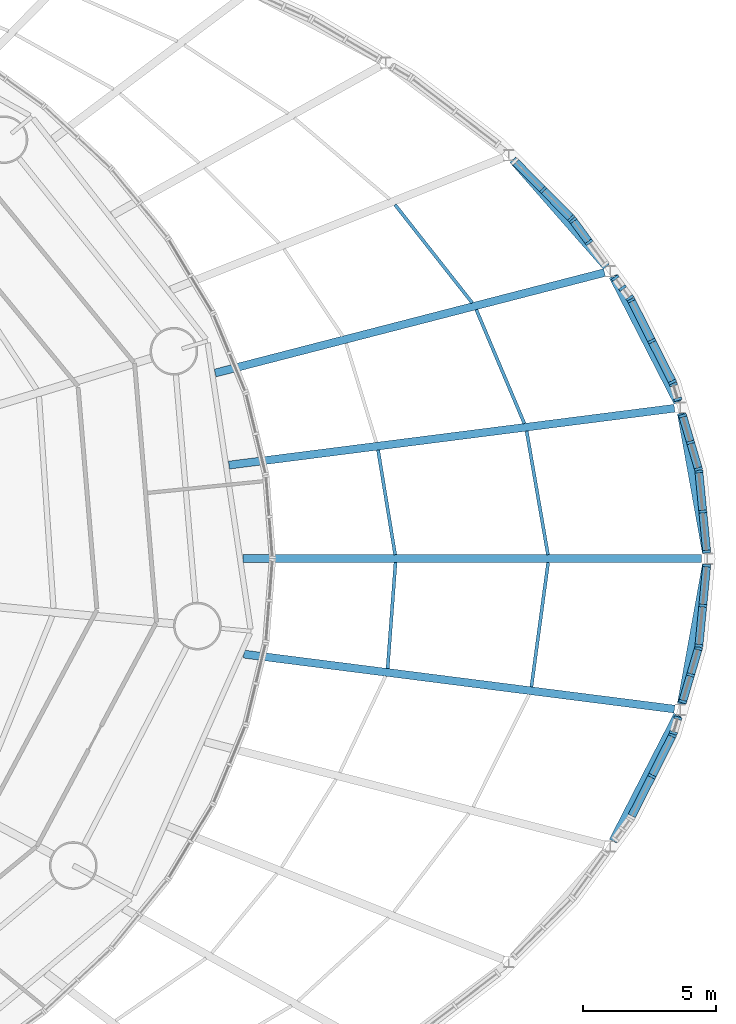
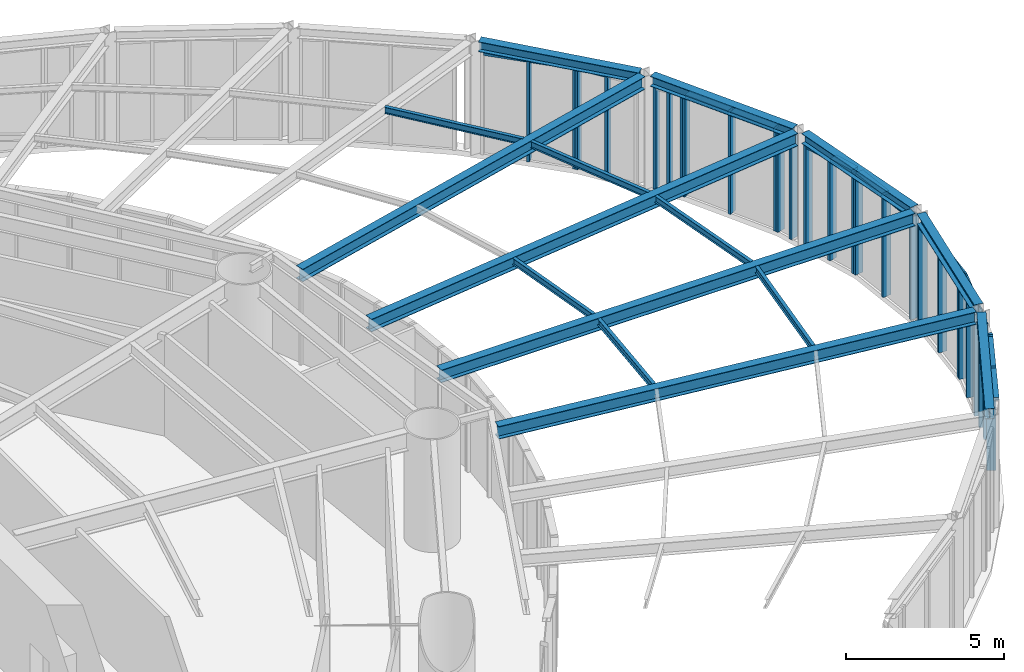
# One storey, part 11 of 23: 43 members, 15 beams, 11 elements without a shape of their own.
"""IFC4 building model written with IfcOpenShell, lengths in metres."""

from ifc_helpers import new_model, si_unit, direction, frame, origin, origin_2d, place, context, subcontext, project, spatial, rectangle, i_section, extrude, material, material_profile, profile_set, type_object, element, aggregate, save


model = new_model("IFC4")

# Units and contexts
model_context = context("Model", 3, precision=1e-05, world=origin(), true_north=direction((0.0, 1.0)))
body_context = subcontext(model_context, "Body", "Model", "MODEL_VIEW")
ifc_project = project(units=[si_unit("LENGTHUNIT", "METRE"), si_unit("AREAUNIT", "SQUARE_METRE"), si_unit("VOLUMEUNIT", "CUBIC_METRE"), si_unit("PLANEANGLEUNIT", "RADIAN"), si_unit("MASSUNIT", "GRAM", prefix="KILO")], contexts=[model_context])

# Site, building, storey
site_placement = place(None, origin())
site = spatial("IfcSite", under=ifc_project, at=site_placement, CompositionType="ELEMENT")
building_placement = place(site_placement, origin())
building = spatial("IfcBuilding", under=site, at=building_placement, Name="Vermilion Reach Broadcast Tower", CompositionType="ELEMENT")
storey_placement = place(building_placement, frame((0.0, 0.0, 31.5)))
storey = spatial("IfcBuildingStorey", under=building, at=storey_placement, Name="L04", CompositionType="ELEMENT", Elevation=31.5)

# Curtain wall, members
ifc_material_1 = material(Name="Low-e laminated clear glass in aluminium frame", Category="aluminium")
curtain_wall_type = type_object("IfcCurtainWallType", Name="Atrium outer wall curtain wall", PredefinedType="NOTDEFINED", material=ifc_material_1)
placement = place(storey_placement, origin())
curtain_wall_1 = element("IfcCurtainWall", 1, at=placement, inside=storey, type_object=curtain_wall_type, Name="Atrium wall L04 09", PredefinedType="NOTDEFINED")
ifc_material_2 = material(Name="Anodised aluminium", Category="aluminium")
ifc_material_profile_1 = material_profile(ifc_material_2, rectangle(XDim=0.300048828125, YDim=0.10009765625, at=origin_2d()), Name="Atrium outer wall mullion 100 x 300")
ifc_profile_set_1 = profile_set([ifc_material_profile_1], Name="Anodised aluminium")
member_type_1 = type_object("IfcMemberType", Name="Atrium outer wall mullion 100 x 300", PredefinedType="MULLION", material=ifc_profile_set_1)
member_1_placement = place(storey_placement, frame((37.6064453125, -8.20556640625, 0.0), z_axis=(0.0, 0.0, 1.0), x_axis=(-0.892992378986, 0.450071784356, 0.0)))
member_1 = element("IfcMember", 2, at=member_1_placement, type_object=member_type_1, Name="Atrium wall mullion L04 09.2", PredefinedType="MULLION", context=body_context, shape_type="SweptSolid", body=[
    extrude(rectangle(XDim=0.300048828125, YDim=0.10009765625, at=origin_2d()), origin(), (0.0, 0.0, 1.0), 3.9599609375),
])
member_2_placement = place(storey_placement, frame((38.384033203125, -6.6630859375, 0.0), z_axis=(0.0, 0.0, 1.0), x_axis=(-0.892992378986, 0.450071784356, 0.0)))
member_2 = element("IfcMember", 3, at=member_2_placement, type_object=member_type_1, Name="Atrium wall mullion L04 09.3", PredefinedType="MULLION", context=body_context, shape_type="SweptSolid", body=[
    extrude(rectangle(XDim=0.300048828125, YDim=0.10009765625, at=origin_2d()), origin(), (0.0, 0.0, 1.0), 3.9599609375),
])

curtain_wall_2 = element("IfcCurtainWall", 4, at=placement, inside=storey, type_object=curtain_wall_type, Name="Atrium wall L04 10-1", PredefinedType="NOTDEFINED")
member_3_placement = place(storey_placement, frame((38.420654296875, -6.570556640625, 0.0), z_axis=(0.0, 0.0, 1.0), x_axis=(-0.959047559317, 0.283245086397, 0.0)))
member_3 = element("IfcMember", 5, at=member_3_placement, type_object=member_type_1, Name="Atrium wall mullion L04 10-1.1", PredefinedType="MULLION", context=body_context, shape_type="SweptSolid", body=[
    extrude(rectangle(XDim=0.300048828125, YDim=0.10009765625, at=origin_2d()), origin(), (0.0, 0.0, 1.0), 3.9599609375),
])
member_4_placement = place(storey_placement, frame((38.58544921875, -6.01220703125, 0.0), z_axis=(0.0, 0.0, 1.0), x_axis=(-0.959047559317, 0.283245086397, 0.0)))
member_4 = element("IfcMember", 6, at=member_4_placement, type_object=member_type_1, Name="Atrium wall mullion L04 10-1.2", PredefinedType="MULLION", context=body_context, shape_type="SweptSolid", body=[
    extrude(rectangle(XDim=0.300048828125, YDim=0.10009765625, at=origin_2d()), origin(), (0.0, 0.0, 1.0), 3.9599609375),
])
aggregate(curtain_wall_2, [member_3, member_4])

curtain_wall_3 = element("IfcCurtainWall", 7, at=placement, inside=storey, type_object=curtain_wall_type, Name="Atrium wall L04 10-2", PredefinedType="NOTDEFINED")
member_5_placement = place(storey_placement, frame((38.76904296875, -5.390869140625, 0.0), z_axis=(0.0, 0.0, 1.0), x_axis=(-0.959047559317, 0.283245086397, 0.0)))
member_5 = element("IfcMember", 8, at=member_5_placement, type_object=member_type_1, Name="Atrium wall mullion L04 10-2.1", PredefinedType="MULLION", context=body_context, shape_type="SweptSolid", body=[
    extrude(rectangle(XDim=0.300048828125, YDim=0.10009765625, at=origin_2d()), origin(), (0.0, 0.0, 1.0), 3.9599609375),
])
member_6_placement = place(storey_placement, frame((39.0654296875, -4.387451171875, 0.0), z_axis=(0.0, 0.0, 1.0), x_axis=(-0.959047559317, 0.283245086397, 0.0)))
member_6 = element("IfcMember", 9, at=member_6_placement, type_object=member_type_1, Name="Atrium wall mullion L04 10-2.2", PredefinedType="MULLION", context=body_context, shape_type="SweptSolid", body=[
    extrude(rectangle(XDim=0.300048828125, YDim=0.10009765625, at=origin_2d()), origin(), (0.0, 0.0, 1.0), 3.9599609375),
])
member_7_placement = place(storey_placement, frame((39.361572265625, -3.384033203125, 0.0), z_axis=(0.0, 0.0, 1.0), x_axis=(-0.959047559317, 0.283245086397, 0.0)))
member_7 = element("IfcMember", 10, at=member_7_placement, type_object=member_type_1, Name="Atrium wall mullion L04 10-2.3", PredefinedType="MULLION", context=body_context, shape_type="SweptSolid", body=[
    extrude(rectangle(XDim=0.300048828125, YDim=0.10009765625, at=origin_2d()), origin(), (0.0, 0.0, 1.0), 3.9599609375),
])

curtain_wall_4 = element("IfcCurtainWall", 11, at=placement, inside=storey, type_object=curtain_wall_type, Name="Atrium wall L04 11", PredefinedType="NOTDEFINED")
member_8_placement = place(storey_placement, frame((39.380615234375, -3.286376953125, 0.0), z_axis=(0.0, 0.0, 1.0), x_axis=(-0.995297951094, 0.096860665643, 0.0)))
member_8 = element("IfcMember", 12, at=member_8_placement, type_object=member_type_1, Name="Atrium wall mullion L04 11.1", PredefinedType="MULLION", context=body_context, shape_type="SweptSolid", body=[
    extrude(rectangle(XDim=0.300048828125, YDim=0.10009765625, at=origin_2d()), origin(), (0.0, 0.0, 1.0), 3.9599609375),
])
member_9_placement = place(storey_placement, frame((39.52783203125, -1.774658203125, 0.0), z_axis=(0.0, 0.0, 1.0), x_axis=(-0.995297951094, 0.096860665643, 0.0)))
member_9 = element("IfcMember", 13, at=member_9_placement, type_object=member_type_1, Name="Atrium wall mullion L04 11.2", PredefinedType="MULLION", context=body_context, shape_type="SweptSolid", body=[
    extrude(rectangle(XDim=0.300048828125, YDim=0.10009765625, at=origin_2d()), origin(), (0.0, 0.0, 1.0), 3.9599609375),
])
member_10_placement = place(storey_placement, frame((39.6748046875, -0.2626953125, 0.0), z_axis=(0.0, 0.0, 1.0), x_axis=(-0.995297951094, 0.096860665643, 0.0)))
member_10 = element("IfcMember", 14, at=member_10_placement, type_object=member_type_1, Name="Atrium wall mullion L04 11.3", PredefinedType="MULLION", context=body_context, shape_type="SweptSolid", body=[
    extrude(rectangle(XDim=0.300048828125, YDim=0.10009765625, at=origin_2d()), origin(), (0.0, 0.0, 1.0), 3.9599609375),
])

curtain_wall_5 = element("IfcCurtainWall", 15, at=placement, inside=storey, type_object=curtain_wall_type, Name="Atrium wall L04 12", PredefinedType="NOTDEFINED")
member_11_placement = place(storey_placement, frame((39.6748046875, 0.2626953125, 0.0), z_axis=(0.0, 0.0, 1.0), x_axis=(-0.995297951094, -0.096860665643, 0.0)))
member_11 = element("IfcMember", 16, at=member_11_placement, type_object=member_type_1, Name="Atrium wall mullion L04 12.1", PredefinedType="MULLION", context=body_context, shape_type="SweptSolid", body=[
    extrude(rectangle(XDim=0.300048828125, YDim=0.10009765625, at=origin_2d()), origin(), (0.0, 0.0, 1.0), 3.9599609375),
])
member_12_placement = place(storey_placement, frame((39.52783203125, 1.774658203125, 0.0), z_axis=(0.0, 0.0, 1.0), x_axis=(-0.995297951094, -0.096860665643, 0.0)))
member_12 = element("IfcMember", 17, at=member_12_placement, type_object=member_type_1, Name="Atrium wall mullion L04 12.2", PredefinedType="MULLION", context=body_context, shape_type="SweptSolid", body=[
    extrude(rectangle(XDim=0.300048828125, YDim=0.10009765625, at=origin_2d()), origin(), (0.0, 0.0, 1.0), 3.9599609375),
])
member_13_placement = place(storey_placement, frame((39.380615234375, 3.286376953125, 0.0), z_axis=(0.0, 0.0, 1.0), x_axis=(-0.995297951094, -0.096860665643, 0.0)))
member_13 = element("IfcMember", 18, at=member_13_placement, type_object=member_type_1, Name="Atrium wall mullion L04 12.3", PredefinedType="MULLION", context=body_context, shape_type="SweptSolid", body=[
    extrude(rectangle(XDim=0.300048828125, YDim=0.10009765625, at=origin_2d()), origin(), (0.0, 0.0, 1.0), 3.9599609375),
])

curtain_wall_6 = element("IfcCurtainWall", 19, at=placement, inside=storey, type_object=curtain_wall_type, Name="Atrium wall L04 13-1", PredefinedType="NOTDEFINED")
member_14_placement = place(storey_placement, frame((39.361572265625, 3.384033203125, 0.0), z_axis=(0.0, 0.0, 1.0), x_axis=(-0.959047559317, -0.283245086397, 0.0)))
member_14 = element("IfcMember", 20, at=member_14_placement, type_object=member_type_1, Name="Atrium wall mullion L04 13-1.1", PredefinedType="MULLION", context=body_context, shape_type="SweptSolid", body=[
    extrude(rectangle(XDim=0.300048828125, YDim=0.10009765625, at=origin_2d()), origin(), (0.0, 0.0, 1.0), 3.9599609375),
])
member_15_placement = place(storey_placement, frame((39.0654296875, 4.387451171875, 0.0), z_axis=(0.0, 0.0, 1.0), x_axis=(-0.959047559317, -0.283245086397, 0.0)))
member_15 = element("IfcMember", 21, at=member_15_placement, type_object=member_type_1, Name="Atrium wall mullion L04 13-1.2", PredefinedType="MULLION", context=body_context, shape_type="SweptSolid", body=[
    extrude(rectangle(XDim=0.300048828125, YDim=0.10009765625, at=origin_2d()), origin(), (0.0, 0.0, 1.0), 3.9599609375),
])
member_16_placement = place(storey_placement, frame((38.76904296875, 5.390869140625, 0.0), z_axis=(0.0, 0.0, 1.0), x_axis=(-0.959047559317, -0.283245086397, 0.0)))
member_16 = element("IfcMember", 22, at=member_16_placement, type_object=member_type_1, Name="Atrium wall mullion L04 13-1.3", PredefinedType="MULLION", context=body_context, shape_type="SweptSolid", body=[
    extrude(rectangle(XDim=0.300048828125, YDim=0.10009765625, at=origin_2d()), origin(), (0.0, 0.0, 1.0), 3.9599609375),
])

curtain_wall_7 = element("IfcCurtainWall", 23, at=placement, inside=storey, type_object=curtain_wall_type, Name="Atrium wall L04 13-2", PredefinedType="NOTDEFINED")
member_17_placement = place(storey_placement, frame((38.58544921875, 6.01220703125, 0.0), z_axis=(0.0, 0.0, 1.0), x_axis=(-0.959047559317, -0.283245086397, 0.0)))
member_17 = element("IfcMember", 24, at=member_17_placement, type_object=member_type_1, Name="Atrium wall mullion L04 13-2.1", PredefinedType="MULLION", context=body_context, shape_type="SweptSolid", body=[
    extrude(rectangle(XDim=0.300048828125, YDim=0.10009765625, at=origin_2d()), origin(), (0.0, 0.0, 1.0), 3.9599609375),
])
member_18_placement = place(storey_placement, frame((38.420654296875, 6.570556640625, 0.0), z_axis=(0.0, 0.0, 1.0), x_axis=(-0.959047559317, -0.283245086397, 0.0)))
member_18 = element("IfcMember", 25, at=member_18_placement, type_object=member_type_1, Name="Atrium wall mullion L04 13-2.2", PredefinedType="MULLION", context=body_context, shape_type="SweptSolid", body=[
    extrude(rectangle(XDim=0.300048828125, YDim=0.10009765625, at=origin_2d()), origin(), (0.0, 0.0, 1.0), 3.9599609375),
])
aggregate(curtain_wall_7, [member_17, member_18])

curtain_wall_8 = element("IfcCurtainWall", 26, at=placement, inside=storey, type_object=curtain_wall_type, Name="Atrium wall L04 14", PredefinedType="NOTDEFINED")
member_19_placement = place(storey_placement, frame((38.384033203125, 6.6630859375, 0.0), z_axis=(0.0, 0.0, 1.0), x_axis=(-0.892992378986, -0.450071784356, 0.0)))
member_19 = element("IfcMember", 27, at=member_19_placement, type_object=member_type_1, Name="Atrium wall mullion L04 14.1", PredefinedType="MULLION", context=body_context, shape_type="SweptSolid", body=[
    extrude(rectangle(XDim=0.300048828125, YDim=0.10009765625, at=origin_2d()), origin(), (0.0, 0.0, 1.0), 3.9599609375),
])
member_20_placement = place(storey_placement, frame((37.6064453125, 8.20556640625, 0.0), z_axis=(0.0, 0.0, 1.0), x_axis=(-0.892992378986, -0.450071784356, 0.0)))
member_20 = element("IfcMember", 28, at=member_20_placement, type_object=member_type_1, Name="Atrium wall mullion L04 14.2", PredefinedType="MULLION", context=body_context, shape_type="SweptSolid", body=[
    extrude(rectangle(XDim=0.300048828125, YDim=0.10009765625, at=origin_2d()), origin(), (0.0, 0.0, 1.0), 3.9599609375),
])
member_21_placement = place(storey_placement, frame((36.8291015625, 9.748046875, 0.0), z_axis=(0.0, 0.0, 1.0), x_axis=(-0.892992378986, -0.450071784356, 0.0)))
member_21 = element("IfcMember", 29, at=member_21_placement, type_object=member_type_1, Name="Atrium wall mullion L04 14.3", PredefinedType="MULLION", context=body_context, shape_type="SweptSolid", body=[
    extrude(rectangle(XDim=0.300048828125, YDim=0.10009765625, at=origin_2d()), origin(), (0.0, 0.0, 1.0), 3.9599609375),
])

curtain_wall_9 = element("IfcCurtainWall", 30, at=placement, inside=storey, type_object=curtain_wall_type, Name="Atrium wall L04 15-1", PredefinedType="NOTDEFINED")
member_22_placement = place(storey_placement, frame((36.777099609375, 9.8330078125, 0.0), z_axis=(0.0, 0.0, 1.0), x_axis=(-0.806847463604, -0.590759824697, 0.0)))
member_22 = element("IfcMember", 31, at=member_22_placement, type_object=member_type_1, Name="Atrium wall mullion L04 15-1.1", PredefinedType="MULLION", context=body_context, shape_type="SweptSolid", body=[
    extrude(rectangle(XDim=0.300048828125, YDim=0.10009765625, at=origin_2d()), origin(), (0.0, 0.0, 1.0), 3.9599609375),
])
member_23_placement = place(storey_placement, frame((36.501220703125, 10.209716796875, 0.0), z_axis=(0.0, 0.0, 1.0), x_axis=(-0.806847463604, -0.590759824697, 0.0)))
member_23 = element("IfcMember", 32, at=member_23_placement, type_object=member_type_1, Name="Atrium wall mullion L04 15-1.2", PredefinedType="MULLION", context=body_context, shape_type="SweptSolid", body=[
    extrude(rectangle(XDim=0.300048828125, YDim=0.10009765625, at=origin_2d()), origin(), (0.0, 0.0, 1.0), 3.9599609375),
])
member_24_placement = place(storey_placement, frame((36.2255859375, 10.586181640625, 0.0), z_axis=(0.0, 0.0, 1.0), x_axis=(-0.806847463604, -0.590759824697, 0.0)))
member_24 = element("IfcMember", 33, at=member_24_placement, type_object=member_type_1, Name="Atrium wall mullion L04 15-1.3", PredefinedType="MULLION", context=body_context, shape_type="SweptSolid", body=[
    extrude(rectangle(XDim=0.300048828125, YDim=0.10009765625, at=origin_2d()), origin(), (0.0, 0.0, 1.0), 3.9599609375),
])
aggregate(curtain_wall_9, [member_22, member_23, member_24])

curtain_wall_10 = element("IfcCurtainWall", 34, at=placement, inside=storey, type_object=curtain_wall_type, Name="Atrium wall L04 15-2", PredefinedType="NOTDEFINED")
member_25_placement = place(storey_placement, frame((35.236572265625, 11.936767578125, 0.0), z_axis=(0.0, 0.0, 1.0), x_axis=(-0.806847463604, -0.590759824697, 0.0)))
member_25 = element("IfcMember", 35, at=member_25_placement, type_object=member_type_1, Name="Atrium wall mullion L04 15-2.2", PredefinedType="MULLION", context=body_context, shape_type="SweptSolid", body=[
    extrude(rectangle(XDim=0.300048828125, YDim=0.10009765625, at=origin_2d()), origin(), (0.0, 0.0, 1.0), 3.9599609375),
])
member_26_placement = place(storey_placement, frame((34.630615234375, 12.764404296875, 0.0), z_axis=(0.0, 0.0, 1.0), x_axis=(-0.806847463604, -0.590759824697, 0.0)))
member_26 = element("IfcMember", 36, at=member_26_placement, type_object=member_type_1, Name="Atrium wall mullion L04 15-2.3", PredefinedType="MULLION", context=body_context, shape_type="SweptSolid", body=[
    extrude(rectangle(XDim=0.300048828125, YDim=0.10009765625, at=origin_2d()), origin(), (0.0, 0.0, 1.0), 3.9599609375),
])

curtain_wall_11 = element("IfcCurtainWall", 37, at=placement, inside=storey, type_object=curtain_wall_type, Name="Atrium wall L04 16", PredefinedType="NOTDEFINED")
member_27_placement = place(storey_placement, frame((34.56591796875, 12.84033203125, 0.0), z_axis=(0.0, 0.0, 1.0), x_axis=(-0.709925939614, -0.704276337997, 0.0)))
member_27 = element("IfcMember", 38, at=member_27_placement, type_object=member_type_1, Name="Atrium wall mullion L04 16.1", PredefinedType="MULLION", context=body_context, shape_type="SweptSolid", body=[
    extrude(rectangle(XDim=0.300048828125, YDim=0.10009765625, at=origin_2d()), origin(), (0.0, 0.0, 1.0), 3.9599609375),
])
member_28_placement = place(storey_placement, frame((33.5029296875, 13.911865234375, 0.0), z_axis=(0.0, 0.0, 1.0), x_axis=(-0.709925939614, -0.704276337997, 0.0)))
member_28 = element("IfcMember", 39, at=member_28_placement, type_object=member_type_1, Name="Atrium wall mullion L04 16.2", PredefinedType="MULLION", context=body_context, shape_type="SweptSolid", body=[
    extrude(rectangle(XDim=0.300048828125, YDim=0.10009765625, at=origin_2d()), origin(), (0.0, 0.0, 1.0), 3.9599609375),
])

# Member
ifc_material_3 = material(Name="Anodised aluminium", Category="aluminium")
ifc_material_profile_2 = material_profile(ifc_material_3, rectangle(XDim=0.300048828125, YDim=0.1201171875, at=origin_2d()), Name="Atrium outer wall transom 300 x 120")
ifc_profile_set_2 = profile_set([ifc_material_profile_2], Name="Anodised aluminium")
member_type_2 = type_object("IfcMemberType", Name="Atrium outer wall transom 300 x 120", PredefinedType="USERDEFINED", material=ifc_profile_set_2)
member_29_placement = place(storey_placement, frame((36.8515625, -9.703369140625, 3.89990234375), z_axis=(0.450091864122, 0.892982258419, 0.0), x_axis=(-0.892982258419, 0.450091864122, 0.0)))
member_29 = element("IfcMember", 40, at=member_29_placement, type_object=member_type_2, Name="Atrium wall transom L04 09.1.2", ObjectType="TRANSOM", PredefinedType="USERDEFINED", context=body_context, shape_type="SweptSolid", body=[
    extrude(rectangle(XDim=0.300048828125, YDim=0.1201171875, at=origin_2d()), origin(), (0.0, 0.0, 1.0), 1.627197265625),
])

member_30_placement = place(storey_placement, frame((37.62890625, -8.160888671875, 3.89990234375), z_axis=(0.450091864122, 0.892982258419, 0.0), x_axis=(-0.892982258419, 0.450091864122, 0.0)))
member_30 = element("IfcMember", 41, at=member_30_placement, type_object=member_type_2, Name="Atrium wall transom L04 09.2.2", ObjectType="TRANSOM", PredefinedType="USERDEFINED", context=body_context, shape_type="SweptSolid", body=[
    extrude(rectangle(XDim=0.300048828125, YDim=0.1201171875, at=origin_2d()), origin(), (0.0, 0.0, 1.0), 1.627197265625),
])

aggregate(curtain_wall_1, [member_1, member_2, member_29, member_30])

member_31_placement = place(storey_placement, frame((38.783203125, -5.3427734375, 3.89990234375), z_axis=(0.283297602457, 0.959032047662, 0.0), x_axis=(-0.959032047662, 0.283297602457, 0.0)))
member_31 = element("IfcMember", 42, at=member_31_placement, type_object=member_type_2, Name="Atrium wall transom L04 10-2.1.2", ObjectType="TRANSOM", PredefinedType="USERDEFINED", context=body_context, shape_type="SweptSolid", body=[
    extrude(rectangle(XDim=0.300048828125, YDim=0.1201171875, at=origin_2d()), origin(), (0.0, 0.0, 1.0), 0.9462890625),
])

member_32_placement = place(storey_placement, frame((39.07958984375, -4.339599609375, 3.89990234375), z_axis=(0.283060271492, 0.959102123187, 0.0), x_axis=(-0.959102123187, 0.283060271492, 0.0)))
member_32 = element("IfcMember", 43, at=member_32_placement, type_object=member_type_2, Name="Atrium wall transom L04 10-2.2.2", ObjectType="TRANSOM", PredefinedType="USERDEFINED", context=body_context, shape_type="SweptSolid", body=[
    extrude(rectangle(XDim=0.300048828125, YDim=0.1201171875, at=origin_2d()), origin(), (0.0, 0.0, 1.0), 0.946044921875),
])

aggregate(curtain_wall_3, [member_5, member_6, member_7, member_31, member_32])

member_33_placement = place(storey_placement, frame((39.385498046875, -3.236572265625, 3.89990234375), z_axis=(0.096863028009, 0.995297721189, 0.0), x_axis=(-0.995297721189, 0.096863028009, 0.0)))
member_33 = element("IfcMember", 44, at=member_33_placement, type_object=member_type_2, Name="Atrium wall transom L04 11.1.2", ObjectType="TRANSOM", PredefinedType="USERDEFINED", context=body_context, shape_type="SweptSolid", body=[
    extrude(rectangle(XDim=0.300048828125, YDim=0.1201171875, at=origin_2d()), origin(), (0.0, 0.0, 1.0), 1.4189453125),
])

member_34_placement = place(storey_placement, frame((39.53271484375, -1.724853515625, 3.89990234375), z_axis=(0.096863028009, 0.995297721189, 0.0), x_axis=(-0.995297721189, 0.096863028009, 0.0)))
member_34 = element("IfcMember", 45, at=member_34_placement, type_object=member_type_2, Name="Atrium wall transom L04 11.2.2", ObjectType="TRANSOM", PredefinedType="USERDEFINED", context=body_context, shape_type="SweptSolid", body=[
    extrude(rectangle(XDim=0.300048828125, YDim=0.1201171875, at=origin_2d()), origin(), (0.0, 0.0, 1.0), 1.4189453125),
])

aggregate(curtain_wall_4, [member_8, member_9, member_10, member_33, member_34])

member_35_placement = place(storey_placement, frame((39.670166015625, 0.3125, 3.89990234375), z_axis=(-0.096863028009, 0.995297721189, 0.0), x_axis=(-0.995297721189, -0.096863028009, 0.0)))
member_35 = element("IfcMember", 46, at=member_35_placement, type_object=member_type_2, Name="Atrium wall transom L04 12.1.2", ObjectType="TRANSOM", PredefinedType="USERDEFINED", context=body_context, shape_type="SweptSolid", body=[
    extrude(rectangle(XDim=0.300048828125, YDim=0.1201171875, at=origin_2d()), origin(), (0.0, 0.0, 1.0), 1.4189453125),
])

member_36_placement = place(storey_placement, frame((39.52294921875, 1.82421875, 3.89990234375), z_axis=(-0.096863028009, 0.995297721189, 0.0), x_axis=(-0.995297721189, -0.096863028009, 0.0)))
member_36 = element("IfcMember", 47, at=member_36_placement, type_object=member_type_2, Name="Atrium wall transom L04 12.2.2", ObjectType="TRANSOM", PredefinedType="USERDEFINED", context=body_context, shape_type="SweptSolid", body=[
    extrude(rectangle(XDim=0.300048828125, YDim=0.1201171875, at=origin_2d()), origin(), (0.0, 0.0, 1.0), 1.4189453125),
])

aggregate(curtain_wall_5, [member_11, member_12, member_13, member_35, member_36])

member_37_placement = place(storey_placement, frame((39.347412109375, 3.43212890625, 3.89990234375), z_axis=(-0.283060271492, 0.959102123187, 0.0), x_axis=(-0.959102123187, -0.283060271492, 0.0)))
member_37 = element("IfcMember", 48, at=member_37_placement, type_object=member_type_2, Name="Atrium wall transom L04 13-1.1.2", ObjectType="TRANSOM", PredefinedType="USERDEFINED", context=body_context, shape_type="SweptSolid", body=[
    extrude(rectangle(XDim=0.300048828125, YDim=0.1201171875, at=origin_2d()), origin(), (0.0, 0.0, 1.0), 0.946044921875),
])

member_38_placement = place(storey_placement, frame((39.05126953125, 4.435302734375, 3.89990234375), z_axis=(-0.283297602457, 0.959032047662, 0.0), x_axis=(-0.959032047662, -0.283297602457, 0.0)))
member_38 = element("IfcMember", 49, at=member_38_placement, type_object=member_type_2, Name="Atrium wall transom L04 13-1.2.2", ObjectType="TRANSOM", PredefinedType="USERDEFINED", context=body_context, shape_type="SweptSolid", body=[
    extrude(rectangle(XDim=0.300048828125, YDim=0.1201171875, at=origin_2d()), origin(), (0.0, 0.0, 1.0), 0.9462890625),
])

aggregate(curtain_wall_6, [member_14, member_15, member_16, member_37, member_38])

member_39_placement = place(storey_placement, frame((38.361328125, 6.707763671875, 3.89990234375), z_axis=(-0.450091864122, 0.892982258419, 0.0), x_axis=(-0.892982258419, -0.450091864122, 0.0)))
member_39 = element("IfcMember", 50, at=member_39_placement, type_object=member_type_2, Name="Atrium wall transom L04 14.1.2", ObjectType="TRANSOM", PredefinedType="USERDEFINED", context=body_context, shape_type="SweptSolid", body=[
    extrude(rectangle(XDim=0.300048828125, YDim=0.1201171875, at=origin_2d()), origin(), (0.0, 0.0, 1.0), 1.627197265625),
])

member_40_placement = place(storey_placement, frame((37.583984375, 8.250244140625, 3.89990234375), z_axis=(-0.450091864122, 0.892982258419, 0.0), x_axis=(-0.892982258419, -0.450091864122, 0.0)))
member_40 = element("IfcMember", 51, at=member_40_placement, type_object=member_type_2, Name="Atrium wall transom L04 14.2.2", ObjectType="TRANSOM", PredefinedType="USERDEFINED", context=body_context, shape_type="SweptSolid", body=[
    extrude(rectangle(XDim=0.300048828125, YDim=0.1201171875, at=origin_2d()), origin(), (0.0, 0.0, 1.0), 1.627197265625),
])

aggregate(curtain_wall_8, [member_19, member_20, member_21, member_39, member_40])

member_41_placement = place(storey_placement, frame((35.20703125, 11.97705078125, 3.89990234375), z_axis=(-0.590677537, 0.806907706794, 0.0), x_axis=(-0.806907706794, -0.590677537, 0.0)))
member_41 = element("IfcMember", 52, at=member_41_placement, type_object=member_type_2, Name="Atrium wall transom L04 15-2.2.2", ObjectType="TRANSOM", PredefinedType="USERDEFINED", context=body_context, shape_type="SweptSolid", body=[
    extrude(rectangle(XDim=0.300048828125, YDim=0.1201171875, at=origin_2d()), origin(), (0.0, 0.0, 1.0), 0.92578125),
])

aggregate(curtain_wall_10, [member_25, member_26, member_41])

member_42_placement = place(storey_placement, frame((34.53076171875, 12.875732421875, 3.89990234375), z_axis=(-0.704329761537, 0.709872937231, 0.0), x_axis=(-0.709872937231, -0.704329761537, 0.0)))
member_42 = element("IfcMember", 53, at=member_42_placement, type_object=member_type_2, Name="Atrium wall transom L04 16.1.2", ObjectType="TRANSOM", PredefinedType="USERDEFINED", context=body_context, shape_type="SweptSolid", body=[
    extrude(rectangle(XDim=0.300048828125, YDim=0.1201171875, at=origin_2d()), origin(), (0.0, 0.0, 1.0), 1.409423828125),
])

member_43_placement = place(storey_placement, frame((33.4677734375, 13.947265625, 3.89990234375), z_axis=(-0.704242454473, 0.709959551889, 0.0), x_axis=(-0.709959551889, -0.704242454473, 0.0)))
member_43 = element("IfcMember", 54, at=member_43_placement, type_object=member_type_2, Name="Atrium wall transom L04 16.2.2", ObjectType="TRANSOM", PredefinedType="USERDEFINED", context=body_context, shape_type="SweptSolid", body=[
    extrude(rectangle(XDim=0.300048828125, YDim=0.1201171875, at=origin_2d()), origin(), (0.0, 0.0, 1.0), 1.4091796875),
])

aggregate(curtain_wall_11, [member_27, member_28, member_42, member_43])

# Beams
ifc_material_4 = material(Name="Steel S355J2", Category="steel")
ifc_material_profile_3 = material_profile(ifc_material_4, i_section(OverallWidth=0.125, OverallDepth=0.25, WebThickness=0.006103515625, FlangeThickness=0.009033203125, at=origin_2d()), Name="S355J2 HN 250x125x6x9")
ifc_profile_set_3 = profile_set([ifc_material_profile_3], Name="Steel S355J2")
beam_type_1 = type_object("IfcBeamType", Name="PU1 HN 250x125x6x9", PredefinedType="JOIST", material=ifc_profile_set_3)
beam_1_placement = place(storey_placement, frame((27.63916015625, -4.141845703125, 4.22509765625), z_axis=(0.074159224494, 0.997246413592, 0.0), x_axis=(-0.997246413592, 0.074159224494, 0.0)))
element("IfcBeam", 55, at=beam_1_placement, inside=storey, type_object=beam_type_1, Name="Atrium purlin PU1-07-1", PredefinedType="JOIST", context=body_context, shape_type="SweptSolid", body=[
    extrude(i_section(OverallWidth=0.125, OverallDepth=0.25, WebThickness=0.006103515625, FlangeThickness=0.009033203125, at=origin_2d()), origin(), (0.0, 0.0, 1.0), 4.003173828125),
])
beam_2_placement = place(storey_placement, frame((33.063232421875, -4.833740234375, 4.22509765625), z_axis=(0.13334762902, 0.991069326452, 0.0), x_axis=(-0.991069326452, 0.13334762902, 0.0)))
element("IfcBeam", 56, at=beam_2_placement, inside=storey, type_object=beam_type_1, Name="Atrium purlin PU1-07-2", PredefinedType="JOIST", context=body_context, shape_type="SweptSolid", body=[
    extrude(i_section(OverallWidth=0.125, OverallDepth=0.25, WebThickness=0.006103515625, FlangeThickness=0.009033203125, at=origin_2d()), origin(), (0.0, 0.0, 1.0), 4.727294921875),
])
beam_3_placement = place(storey_placement, frame((27.9228515625, 0.14794921875, 4.22509765625), z_axis=(-0.161012995128, 0.986952286283, 0.0), x_axis=(-0.986952286283, -0.161012995128, 0.0)))
element("IfcBeam", 57, at=beam_3_placement, inside=storey, type_object=beam_type_1, Name="Atrium purlin PU1-08-1", PredefinedType="JOIST", context=body_context, shape_type="SweptSolid", body=[
    extrude(i_section(OverallWidth=0.125, OverallDepth=0.25, WebThickness=0.006103515625, FlangeThickness=0.009033203125, at=origin_2d()), origin(), (0.0, 0.0, 1.0), 4.0),
])
beam_4_placement = place(storey_placement, frame((33.68798828125, 0.147705078125, 4.22509765625), z_axis=(-0.1703025346, 0.985391823951, 0.0), x_axis=(-0.985391823951, -0.1703025346, 0.0)))
element("IfcBeam", 58, at=beam_4_placement, inside=storey, type_object=beam_type_1, Name="Atrium purlin PU1-08-2", PredefinedType="JOIST", context=body_context, shape_type="SweptSolid", body=[
    extrude(i_section(OverallWidth=0.125, OverallDepth=0.25, WebThickness=0.006103515625, FlangeThickness=0.009033203125, at=origin_2d()), origin(), (0.0, 0.0, 1.0), 4.732177734375),
])
beam_5_placement = place(storey_placement, frame((32.79833984375, 5.096923828125, 4.22509765625), z_axis=(-0.389414471307, 0.921062630627, 0.0), x_axis=(-0.921062630627, -0.389414471307, 0.0)))
element("IfcBeam", 59, at=beam_5_placement, inside=storey, type_object=beam_type_1, Name="Atrium purlin PU1-09-2", PredefinedType="JOIST", context=body_context, shape_type="SweptSolid", body=[
    extrude(i_section(OverallWidth=0.125, OverallDepth=0.25, WebThickness=0.006103515625, FlangeThickness=0.009033203125, at=origin_2d()), origin(), (0.0, 0.0, 1.0), 4.661865234375),
])
beam_6_placement = place(storey_placement, frame((30.831787109375, 9.646728515625, 4.22509765625), z_axis=(-0.618265476009, 0.785969338572, 0.0), x_axis=(-0.785969338572, -0.618265476009, 0.0)))
element("IfcBeam", 60, at=beam_6_placement, inside=storey, type_object=beam_type_1, Name="Atrium purlin PU1-10-2", PredefinedType="JOIST", context=body_context, shape_type="SweptSolid", body=[
    extrude(i_section(OverallWidth=0.125, OverallDepth=0.25, WebThickness=0.006103515625, FlangeThickness=0.009033203125, at=origin_2d()), origin(), (0.0, 0.0, 1.0), 4.7109375),
])
ifc_material_5 = material(Name="Steel S355J2", Category="steel")
ifc_material_profile_4 = material_profile(ifc_material_5, i_section(OverallWidth=0.300048828125, OverallDepth=0.488037109375, WebThickness=0.010986328125, FlangeThickness=0.01806640625, at=origin_2d()), Name="S355J2 HM 488x300x11x18")
ifc_profile_set_4 = profile_set([ifc_material_profile_4], Name="Steel S355J2")
beam_type_2 = type_object("IfcBeamType", Name="RF1 HM 488x300x11x18", PredefinedType="BEAM", material=ifc_profile_set_4)
beam_7_placement = place(storey_placement, frame((22.212890625, -3.600341796875, 4.10595703125), z_axis=(0.991954878456, -0.126591939344, 0.0), x_axis=(0.126591939344, 0.991954878456, 0.0)))
element("IfcBeam", 61, at=beam_7_placement, inside=storey, type_object=beam_type_2, Name="Atrium rafter RF1-07", PredefinedType="BEAM", context=body_context, shape_type="SweptSolid", body=[
    extrude(i_section(OverallWidth=0.300048828125, OverallDepth=0.488037109375, WebThickness=0.010986328125, FlangeThickness=0.01806640625, at=origin_2d()), origin(), (0.0, 0.0, 1.0), 16.37744140625),
])
beam_8_placement = place(storey_placement, frame((22.1806640625, 0.0, 4.10595703125), z_axis=(1.0, 0.0, 0.0), x_axis=(0.0, 1.0, 0.0)))
element("IfcBeam", 62, at=beam_8_placement, inside=storey, type_object=beam_type_2, Name="Atrium rafter RF1-08", PredefinedType="BEAM", context=body_context, shape_type="SweptSolid", body=[
    extrude(i_section(OverallWidth=0.300048828125, OverallDepth=0.488037109375, WebThickness=0.010986328125, FlangeThickness=0.01806640625, at=origin_2d()), origin(), (0.0, 0.0, 1.0), 17.29931640625),
])
beam_9_placement = place(storey_placement, frame((21.65283203125, 3.52880859375, 4.10595703125), z_axis=(0.991954439044, 0.12659538246, 0.0), x_axis=(-0.12659538246, 0.991954439044, 0.0)))
element("IfcBeam", 63, at=beam_9_placement, inside=storey, type_object=beam_type_2, Name="Atrium rafter RF1-09", PredefinedType="BEAM", context=body_context, shape_type="SweptSolid", body=[
    extrude(i_section(OverallWidth=0.300048828125, OverallDepth=0.488037109375, WebThickness=0.010986328125, FlangeThickness=0.01806640625, at=origin_2d()), origin(), (0.0, 0.0, 1.0), 16.94189453125),
])
beam_10_placement = place(storey_placement, frame((21.131591796875, 7.001708984375, 4.10595703125), z_axis=(0.968277198104, 0.249878505742, 0.0), x_axis=(-0.249878505742, 0.968277198104, 0.0)))
element("IfcBeam", 64, at=beam_10_placement, inside=storey, type_object=beam_type_2, Name="Atrium rafter RF1-10", PredefinedType="BEAM", context=body_context, shape_type="SweptSolid", body=[
    extrude(i_section(OverallWidth=0.300048828125, OverallDepth=0.488037109375, WebThickness=0.010986328125, FlangeThickness=0.01806640625, at=origin_2d()), origin(), (0.0, 0.0, 1.0), 15.17041015625),
])
ifc_material_6 = material(Name="Steel S355J2", Category="steel")
ifc_material_profile_5 = material_profile(ifc_material_6, i_section(OverallWidth=0.300048828125, OverallDepth=0.389892578125, WebThickness=0.010009765625, FlangeThickness=0.01611328125, at=origin_2d()), Name="S355J2 HM 390x300x10x16")
ifc_profile_set_5 = profile_set([ifc_material_profile_5], Name="Steel S355J2")
beam_type_3 = type_object("IfcBeamType", Name="RM1 HM 390x300x10x16", PredefinedType="BEAM", material=ifc_profile_set_5)
beam_11_placement = place(storey_placement, frame((36.13427734375, -10.65185546875, 4.155029296875), z_axis=(0.456870131235, 0.889533407571, 0.0), x_axis=(-0.889533407571, 0.456870131235, 0.0)))
element("IfcBeam", 65, at=beam_11_placement, inside=storey, type_object=beam_type_3, Name="Rim beam AP06-AP07", PredefinedType="BEAM", context=body_context, shape_type="SweptSolid", body=[
    extrude(i_section(OverallWidth=0.300048828125, OverallDepth=0.389892578125, WebThickness=0.010009765625, FlangeThickness=0.01611328125, at=origin_2d()), origin(), (0.0, 0.0, 1.0), 5.345458984375),
])
for number, where, z_axis, x_axis, name in (
    (66, (38.715576171875, -5.48486328125, 4.155029296875), (0.176657264491, 0.984272427178, 0.0), (-0.984272427178, 0.176657264491, 0.0), "Rim beam AP07-AP08"),
    (67, (39.6611328125, 0.216552734375, 4.155029296875), (-0.176657264491, 0.984272427178, 0.0), (-0.984272427178, -0.176657264491, 0.0), "Rim beam AP08-AP09"),
):
    element("IfcBeam", number, at=place(storey_placement, frame(where, z_axis=z_axis, x_axis=x_axis)), inside=storey, type_object=beam_type_3, Name=name, PredefinedType="BEAM", context=body_context, shape_type="SweptSolid", body=[
        extrude(i_section(OverallWidth=0.300048828125, OverallDepth=0.389892578125, WebThickness=0.010009765625, FlangeThickness=0.01611328125, at=origin_2d()), origin(), (0.0, 0.0, 1.0), 5.3525390625),
    ])
beam_12_placement = place(storey_placement, frame((38.576416015625, 5.89697265625, 4.155029296875), z_axis=(-0.456870131235, 0.889533407571, 0.0), x_axis=(-0.889533407571, -0.456870131235, 0.0)))
element("IfcBeam", 68, at=beam_12_placement, inside=storey, type_object=beam_type_3, Name="Rim beam AP09-AP10", PredefinedType="BEAM", context=body_context, shape_type="SweptSolid", body=[
    extrude(i_section(OverallWidth=0.300048828125, OverallDepth=0.389892578125, WebThickness=0.010009765625, FlangeThickness=0.01611328125, at=origin_2d()), origin(), (0.0, 0.0, 1.0), 5.345458984375),
])
beam_13_placement = place(storey_placement, frame((35.888916015625, 11.012939453125, 4.155029296875), z_axis=(-0.658704425983, 0.752401807009, 0.0), x_axis=(-0.752401807009, -0.658704425983, 0.0)))
element("IfcBeam", 69, at=beam_13_placement, inside=storey, type_object=beam_type_3, Name="Rim beam AP10-AP11", PredefinedType="BEAM", context=body_context, shape_type="SweptSolid", body=[
    extrude(i_section(OverallWidth=0.300048828125, OverallDepth=0.389892578125, WebThickness=0.010009765625, FlangeThickness=0.01611328125, at=origin_2d()), origin(), (0.0, 0.0, 1.0), 5.3623046875),
])

save(model, "model.ifc")
